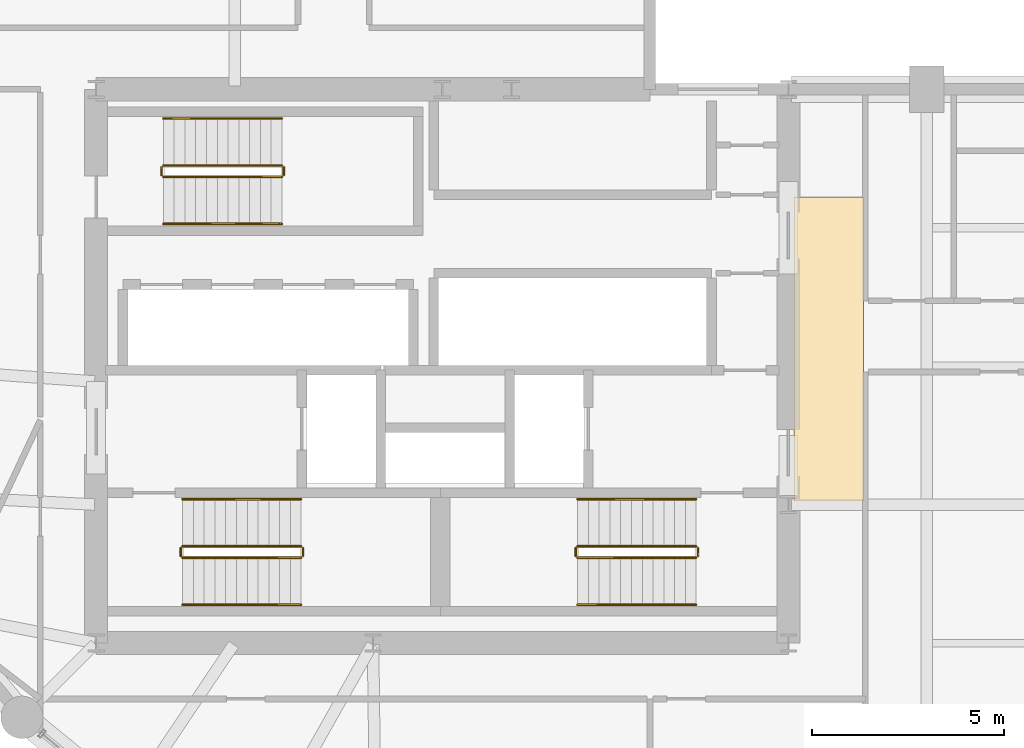
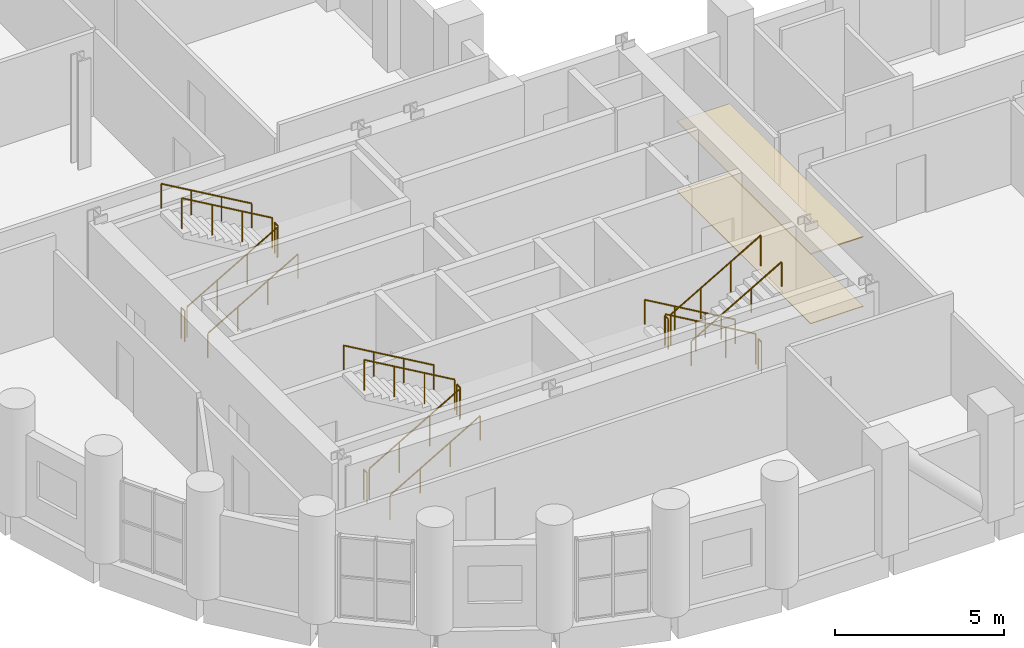
# One storey, part 13 of 13: 18 railings, 2 coverings.
"""IFC4 building model written with IfcOpenShell, lengths in metres."""

import ifcopenshell
import ifcopenshell.guid

model = None  # the IFC model being written
_history = None  # IfcOwnerHistory: only IFC2X3 demands one
_inside = {}  # id of a spatial element -> (the spatial element, [elements in it])
_under = {}  # id of a project, library or spatial element -> (it, [spatial elements below it])
_declared = {}  # id of a project -> (the project, [libraries it declares])
_typed = {}  # id of a type object -> (the type object, [elements of that type])
_made_of = {}  # id of a material, layer set ... -> (it, [elements and type objects made of it])


def new_model(schema):
    """Start an empty IFC model of exactly this schema.

    Asked for "IFC4X3", IfcOpenShell would pick the latest addendum, in which some entities
    have other attributes; the version numbers below select the first issue.
    IFC2X3 requires an IfcOwnerHistory on every rooted entity: one is made here for all.
    """
    global model, _history
    if schema == "IFC4X3":
        model = ifcopenshell.file(schema_version=(4, 3, 0, 0))
    else:
        model = ifcopenshell.file(schema=schema)
    _inside.clear()
    _under.clear()
    _declared.clear()
    _typed.clear()
    _made_of.clear()
    _history = None
    if model.schema == "IFC2X3":
        org = make("IfcOrganization", Name="unknown")
        user = make(
            "IfcPersonAndOrganization",
            ThePerson=make("IfcPerson", FamilyName="unknown"),
            TheOrganization=org,
        )
        app = make(
            "IfcApplication",
            ApplicationDeveloper=org,
            Version="unknown",
            ApplicationFullName="unknown",
            ApplicationIdentifier="unknown",
        )
        _history = make(
            "IfcOwnerHistory",
            OwningUser=user,
            OwningApplication=app,
            ChangeAction="ADDED",
            CreationDate=0,
        )
    return model


def make(cls, **values):
    """One entity of the class cls with the attributes given. An attribute that is None is left unset."""
    return model.create_entity(
        cls, **{name: value for name, value in values.items() if value is not None}
    )


def rooted(cls, **values):
    """An entity with a GlobalId (a new one), such as an element, a storey or a relation."""
    return make(cls, GlobalId=ifcopenshell.guid.new(), OwnerHistory=_history, **values)


def si_unit(unit_type, name, prefix=None):
    """IfcSIUnit, for example si_unit("LENGTHUNIT", "METRE", prefix="MILLI")."""
    return make("IfcSIUnit", UnitType=unit_type, Prefix=prefix, Name=name)


def assignment(units):
    """IfcUnitAssignment: the units of a project."""
    return None if units is None else make("IfcUnitAssignment", Units=units)


def point(xyz):
    """IfcCartesianPoint."""
    return None if xyz is None else make("IfcCartesianPoint", Coordinates=xyz)


def direction(xyz):
    """IfcDirection."""
    return None if xyz is None else make("IfcDirection", DirectionRatios=xyz)


def frame(location, z_axis=None, x_axis=None):
    """IfcAxis2Placement3D, a coordinate frame: its origin and axes. An axis left out is left unset."""
    return make(
        "IfcAxis2Placement3D",
        Location=point(location),
        Axis=direction(z_axis),
        RefDirection=direction(x_axis),
    )


def frame_2d(location, x_axis=None):
    """IfcAxis2Placement2D, a coordinate frame in the plane: its origin and x axis."""
    return make(
        "IfcAxis2Placement2D", Location=point(location), RefDirection=direction(x_axis)
    )


def origin():
    """The frame at (0, 0, 0) with its axes left unset."""
    return frame((0.0, 0.0, 0.0))


def origin_2d():
    """The frame at (0, 0) in the plane with its x axis left unset."""
    return frame_2d((0.0, 0.0))


def place(relative_to, where):
    """IfcLocalPlacement: puts the frame where relative to a parent placement (None: the world)."""
    return make(
        "IfcLocalPlacement", PlacementRelTo=relative_to, RelativePlacement=where
    )


def context(
    kind, dimensions, precision=None, world=None, true_north=None, identifier=None
):
    """IfcGeometricRepresentationContext, for example the 3D "Model" context."""
    return make(
        "IfcGeometricRepresentationContext",
        ContextIdentifier=identifier,
        ContextType=kind,
        CoordinateSpaceDimension=dimensions,
        Precision=precision,
        WorldCoordinateSystem=world,
        TrueNorth=true_north,
    )


def subcontext(parent, identifier, kind, view, scale=None):
    """IfcGeometricRepresentationSubContext, for example "Body" below "Model"."""
    return make(
        "IfcGeometricRepresentationSubContext",
        ContextIdentifier=identifier,
        ContextType=kind,
        ParentContext=parent,
        TargetScale=scale,
        TargetView=view,
    )


def project(units=None, contexts=None):
    """IfcProject with its units and contexts."""
    return rooted(
        "IfcProject",
        Name="project",
        RepresentationContexts=contexts,
        UnitsInContext=assignment(units),
    )


def spatial(cls, under=None, at=None, **own):
    """A site, building, storey or space (cls), placed at a placement, below another one or the project."""
    s = rooted(cls, ObjectPlacement=at, **own)
    if under is not None:
        _under.setdefault(under.id(), (under, []))[1].append(s)
    return s


def polyline(points):
    """IfcPolyline through the points."""
    return make("IfcPolyline", Points=[point(p) for p in points])


def profile(cls, at=None, kind="AREA", **sizes):
    """A parametric profile (cls). Its sizes go by their IFC names, for example OverallWidth=200.0."""
    return make(cls, ProfileType=kind, Position=at, **sizes)


def circle(**sizes):
    """IfcCircleProfileDef."""
    return profile("IfcCircleProfileDef", **sizes)


def outline(outer, holes=None, kind="AREA"):
    """IfcArbitraryClosedProfileDef: a profile drawn as a closed curve; with holes, ...WithVoids."""
    if holes is None:
        return make("IfcArbitraryClosedProfileDef", ProfileType=kind, OuterCurve=outer)
    return make(
        "IfcArbitraryProfileDefWithVoids",
        ProfileType=kind,
        OuterCurve=outer,
        InnerCurves=holes,
    )


def extrude(swept, where, along, depth):
    """IfcExtrudedAreaSolid: the profile swept, set in the frame where, extruded along a direction by depth."""
    return make(
        "IfcExtrudedAreaSolid",
        SweptArea=swept,
        Position=where,
        ExtrudedDirection=direction(along),
        Depth=depth,
    )


def shape(context_of_items, identifier, shape_type, items):
    """IfcShapeRepresentation: the items that make up one representation, for example the "Body"."""
    return make(
        "IfcShapeRepresentation",
        ContextOfItems=context_of_items,
        RepresentationIdentifier=identifier,
        RepresentationType=shape_type,
        Items=items,
    )


def material(Name=None, Category=None):
    """IfcMaterial."""
    return make("IfcMaterial", Name=Name, Category=Category)


def layer(
    of_material, thickness, ventilated=None, Name=None, Category=None, Priority=None
):
    """IfcMaterialLayer: one layer of a wall or slab, of a material (None: an air gap)."""
    return make(
        "IfcMaterialLayer",
        Material=of_material,
        LayerThickness=thickness,
        IsVentilated=ventilated,
        Name=Name,
        Category=Category,
        Priority=Priority,
    )


def layer_set(layers, Name=None):
    """IfcMaterialLayerSet."""
    return make("IfcMaterialLayerSet", MaterialLayers=layers, LayerSetName=Name)


def made_of(thing, what):
    """Note that an element or type object is made of a material, layer set ...; save() writes the relation."""
    if what is not None:
        _made_of.setdefault(what.id(), (what, []))[1].append(thing)
    return thing


def type_object(cls, material=None, **own):
    """A type object (cls), such as IfcWallType, which elements share."""
    return made_of(rooted(cls, **own), material)


def element(
    cls,
    number,
    at=None,
    inside=None,
    cuts=None,
    type_object=None,
    material=None,
    context=None,
    identifier="Body",
    shape_type=None,
    held_by="IfcProductDefinitionShape",
    body=None,
    shapes=None,
    **own,
):
    """One element of the class cls, such as IfcWall. Its Tag is "e" and its number.

    at: its placement. inside: the storey or other place that contains it. cuts: it is an
    opening in that element (IfcRelVoidsElement). A single representation is given by context,
    identifier, shape_type and body (its items); several are given by shapes. held_by: the class
    of the entity that holds the representations. save() writes the other relations.
    """
    e = rooted(cls, Tag="e%d" % number, ObjectPlacement=at, **own)
    if body is not None:
        shapes = [shape(context, identifier, shape_type, body)]
    if shapes is not None:
        e.Representation = make(held_by, Representations=shapes)
    if inside is not None:
        _inside.setdefault(inside.id(), (inside, []))[1].append(e)
    if cuts is not None:
        rooted(
            "IfcRelVoidsElement", RelatingBuildingElement=cuts, RelatedOpeningElement=e
        )
    if type_object is not None:
        _typed.setdefault(type_object.id(), (type_object, []))[1].append(e)
    return made_of(e, material)


def aggregate(whole, parts):
    """IfcRelAggregates: a whole, such as a stair, and the parts it consists of."""
    return rooted("IfcRelAggregates", RelatingObject=whole, RelatedObjects=parts)


def save(model, path):
    """Write the relations noted so far, then the file.

    IfcRelAggregates (storeys below a building ...), IfcRelContainedInSpatialStructure (elements
    in a storey), IfcRelDefinesByType, IfcRelAssociatesMaterial and IfcRelDeclares: one each for
    every whole, place, type object, material and project.
    """
    for whole, parts in _under.values():
        aggregate(whole, parts)
    for where, things in _inside.values():
        rooted(
            "IfcRelContainedInSpatialStructure",
            RelatedElements=things,
            RelatingStructure=where,
        )
    for kind, things in _typed.values():
        rooted("IfcRelDefinesByType", RelatedObjects=things, RelatingType=kind)
    for what, things in _made_of.values():
        rooted("IfcRelAssociatesMaterial", RelatedObjects=things, RelatingMaterial=what)
    for by, libraries in _declared.values():
        rooted("IfcRelDeclares", RelatingContext=by, RelatedDefinitions=libraries)
    model.write(path)


model = new_model("IFC4")

# Units and contexts
model_context = context("Model", 3, precision=1e-05, world=origin(), true_north=direction((0.0, 1.0)))
body_context = subcontext(model_context, "Body", "Model", "MODEL_VIEW")
ifc_project = project(units=[si_unit("LENGTHUNIT", "METRE"), si_unit("AREAUNIT", "SQUARE_METRE"), si_unit("VOLUMEUNIT", "CUBIC_METRE"), si_unit("PLANEANGLEUNIT", "RADIAN"), si_unit("MASSUNIT", "GRAM", prefix="KILO")], contexts=[model_context])

# Site, building, storey
site_placement = place(None, origin())
site = spatial("IfcSite", under=ifc_project, at=site_placement, CompositionType="ELEMENT")
building_placement = place(site_placement, origin())
building = spatial("IfcBuilding", under=site, at=building_placement, Name="Solnavia Interchange Tower", CompositionType="ELEMENT")
storey_placement = place(building_placement, frame((0.0, 0.0, 51.300048828125)))
storey = spatial("IfcBuildingStorey", under=building, at=storey_placement, Name="L12", CompositionType="ELEMENT", Elevation=51.300048828125)

# Coverings
ifc_material_1 = material(Name="Perforated Mineral-Fibre & Gypsum Ceiling", Category="gypsum")
ifc_layer_1 = layer(ifc_material_1, 0.0400390625)
ifc_layer_set_1 = layer_set([ifc_layer_1], Name="Perforated Mineral-Fibre & Gypsum Ceiling")
covering_type_1 = type_object("IfcCoveringType", Name="Covering-Ceiling-Acoustic40", PredefinedType="CEILING", material=ifc_layer_set_1)
covering_1_placement = place(storey_placement, frame((0.0, 0.0, 2.5)))
element("IfcCovering", 1, at=covering_1_placement, inside=storey, type_object=covering_type_1, Name="CLG-L12-01 Circulation suspended acoustic ceiling", PredefinedType="CEILING", context=body_context, shape_type="SweptSolid", body=[
    extrude(outline(polyline([(32.550048828125, 14.5), (34.35009765625, 14.5), (34.35009765625, 22.39990234375), (32.550048828125, 22.39990234375), (32.550048828125, 14.5)])), origin(), (0.0, 0.0, 1.0), 0.0400390625),
])
ifc_material_2 = material(Name="Polished Alicante Stone Terrazzo", Category="masonry")
ifc_layer_2 = layer(ifc_material_2, 0.02490234375)
ifc_layer_set_2 = layer_set([ifc_layer_2], Name="Polished Alicante Stone Terrazzo")
covering_type_2 = type_object("IfcCoveringType", Name="Covering-Flooring-Terrazzo25", PredefinedType="FLOORING", material=ifc_layer_set_2)
covering_2_placement = place(storey_placement, origin())
element("IfcCovering", 2, at=covering_2_placement, inside=storey, type_object=covering_type_2, Name="FLR-L12-01 Circulation floor finish", PredefinedType="FLOORING", context=body_context, shape_type="SweptSolid", body=[
    extrude(outline(polyline([(32.550048828125, 14.5), (34.35009765625, 14.5), (34.35009765625, 22.39990234375), (32.550048828125, 22.39990234375), (32.550048828125, 14.5)])), origin(), (0.0, 0.0, 1.0), 0.02490234375),
])

# Railings
ifc_material_3 = material(Name="Painted Steel Balustrade", Category="steel")
railing_type_1 = type_object("IfcRailingType", Name="Railing-StairGuard-1100", PredefinedType="GUARDRAIL", material=ifc_material_3)
railing_1_placement = place(storey_placement, frame((16.64990234375, 13.02001953125, 0.162353515625)))
element("IfcRailing", 3, at=railing_1_placement, inside=storey, type_object=railing_type_1, Name="L12 ST-1 stair guard 1", PredefinedType="GUARDRAIL", context=body_context, shape_type="SweptSolid", body=[
    extrude(circle(Radius=0.02392578125, at=origin_2d()), frame((0.0, 0.0, 1.09619140625), z_axis=(0.864890721111, 0.0, 0.501960198159), x_axis=(0.0, 1.0, 0.0)), (0.0, 0.0, 1.0), 3.561279296875),
    extrude(circle(Radius=0.02099609375, at=origin_2d()), origin(), (0.0, 0.0, 1.0), 1.072021484375),
    extrude(circle(Radius=0.02099609375, at=origin_2d()), frame((1.026611328125, 0.0, 0.595947265625)), (0.0, 0.0, 1.0), 1.072021484375),
    extrude(circle(Radius=0.02099609375, at=origin_2d()), frame((2.053466796875, 0.0, 1.191650390625)), (0.0, 0.0, 1.0), 1.072021484375),
    extrude(circle(Radius=0.02099609375, at=origin_2d()), frame((3.080078125, 0.0, 1.78759765625)), (0.0, 0.0, 1.0), 1.072021484375),
])
railing_2_placement = place(storey_placement, frame((19.780029296875, 13.070068359375, 1.949951171875)))
element("IfcRailing", 4, at=railing_2_placement, inside=storey, type_object=railing_type_1, Name="L12 ST-1 stair guard 2", PredefinedType="GUARDRAIL", context=body_context, shape_type="SweptSolid", body=[
    extrude(circle(Radius=0.02392578125, at=origin_2d()), frame((0.0, 0.0, 1.09619140625), z_axis=(0.0, 1.0, 0.0), x_axis=(-1.0, 0.0, 0.0)), (0.0, 0.0, 1.0), 0.199951171875),
    extrude(circle(Radius=0.02099609375, at=origin_2d()), origin(), (0.0, 0.0, 1.0), 1.072021484375),
    extrude(circle(Radius=0.02099609375, at=origin_2d()), frame((0.0, 0.199951171875, 0.0)), (0.0, 0.0, 1.0), 1.072021484375),
])
railing_3_placement = place(storey_placement, frame((19.72998046875, 13.320068359375, 2.112548828125)))
element("IfcRailing", 5, at=railing_3_placement, inside=storey, type_object=railing_type_1, Name="L12 ST-1 stair guard 3", PredefinedType="GUARDRAIL", context=body_context, shape_type="SweptSolid", body=[
    extrude(circle(Radius=0.02392578125, at=origin_2d()), frame((0.0, 0.0, 1.09619140625), z_axis=(-0.864920483161, 0.0, 0.501908913857), x_axis=(0.0, -1.0, 0.0)), (0.0, 0.0, 1.0), 3.56103515625),
    extrude(circle(Radius=0.02099609375, at=origin_2d()), origin(), (0.0, 0.0, 1.0), 1.072021484375),
    extrude(circle(Radius=0.02099609375, at=origin_2d()), frame((-1.026611328125, 0.0, 0.595703125)), (0.0, 0.0, 1.0), 1.072021484375),
    extrude(circle(Radius=0.02099609375, at=origin_2d()), frame((-2.053466796875, 0.0, 1.191650390625)), (0.0, 0.0, 1.0), 1.072021484375),
    extrude(circle(Radius=0.02099609375, at=origin_2d()), frame((-3.080078125, 0.0, 1.787353515625)), (0.0, 0.0, 1.0), 1.072021484375),
])
railing_4_placement = place(storey_placement, frame((16.60009765625, 13.070068359375, 0.0)))
element("IfcRailing", 6, at=railing_4_placement, inside=storey, type_object=railing_type_1, Name="L12 ST-1 stair guard 4", PredefinedType="GUARDRAIL", context=body_context, shape_type="SweptSolid", body=[
    extrude(circle(Radius=0.02392578125, at=origin_2d()), frame((0.0, 0.0, 1.09619140625), z_axis=(0.0, 1.0, 0.0), x_axis=(-1.0, 0.0, 0.0)), (0.0, 0.0, 1.0), 0.199951171875),
    extrude(circle(Radius=0.02099609375, at=origin_2d()), origin(), (0.0, 0.0, 1.0), 1.072021484375),
    extrude(circle(Radius=0.02099609375, at=origin_2d()), frame((0.0, 0.199951171875, 0.0)), (0.0, 0.0, 1.0), 1.072021484375),
])
railing_5_placement = place(storey_placement, frame((30.0, 13.320068359375, 0.162353515625)))
element("IfcRailing", 7, at=railing_5_placement, inside=storey, type_object=railing_type_1, Name="L12 ST-2 stair guard 1", PredefinedType="GUARDRAIL", context=body_context, shape_type="SweptSolid", body=[
    extrude(circle(Radius=0.02392578125, at=origin_2d()), frame((0.0, 0.0, 1.09619140625), z_axis=(-0.864890721111, 0.0, 0.501960198159), x_axis=(0.0, -1.0, 0.0)), (0.0, 0.0, 1.0), 3.561279296875),
    extrude(circle(Radius=0.02099609375, at=origin_2d()), origin(), (0.0, 0.0, 1.0), 1.072021484375),
    extrude(circle(Radius=0.02099609375, at=origin_2d()), frame((-1.026611328125, 0.0, 0.595947265625)), (0.0, 0.0, 1.0), 1.072021484375),
    extrude(circle(Radius=0.02099609375, at=origin_2d()), frame((-2.053466796875, 0.0, 1.191650390625)), (0.0, 0.0, 1.0), 1.072021484375),
    extrude(circle(Radius=0.02099609375, at=origin_2d()), frame((-3.080078125, 0.0, 1.78759765625)), (0.0, 0.0, 1.0), 1.072021484375),
])
railing_6_placement = place(storey_placement, frame((26.8701171875, 13.27001953125, 1.949951171875)))
element("IfcRailing", 8, at=railing_6_placement, inside=storey, type_object=railing_type_1, Name="L12 ST-2 stair guard 2", PredefinedType="GUARDRAIL", context=body_context, shape_type="SweptSolid", body=[
    extrude(circle(Radius=0.02392578125, at=origin_2d()), frame((0.0, 0.0, 1.09619140625), z_axis=(0.0, -1.0, 0.0), x_axis=(1.0, 0.0, 0.0)), (0.0, 0.0, 1.0), 0.199951171875),
    extrude(circle(Radius=0.02099609375, at=origin_2d()), origin(), (0.0, 0.0, 1.0), 1.072021484375),
    extrude(circle(Radius=0.02099609375, at=origin_2d()), frame((0.0, -0.199951171875, 0.0)), (0.0, 0.0, 1.0), 1.072021484375),
])
railing_7_placement = place(storey_placement, frame((26.919921875, 13.02001953125, 2.112548828125)))
element("IfcRailing", 9, at=railing_7_placement, inside=storey, type_object=railing_type_1, Name="L12 ST-2 stair guard 3", PredefinedType="GUARDRAIL", context=body_context, shape_type="SweptSolid", body=[
    extrude(circle(Radius=0.02392578125, at=origin_2d()), frame((0.0, 0.0, 1.09619140625), z_axis=(0.864920483161, 0.0, 0.501908913857), x_axis=(0.0, 1.0, 0.0)), (0.0, 0.0, 1.0), 3.56103515625),
    extrude(circle(Radius=0.02099609375, at=origin_2d()), origin(), (0.0, 0.0, 1.0), 1.072021484375),
    extrude(circle(Radius=0.02099609375, at=origin_2d()), frame((1.026611328125, 0.0, 0.595703125)), (0.0, 0.0, 1.0), 1.072021484375),
    extrude(circle(Radius=0.02099609375, at=origin_2d()), frame((2.053466796875, 0.0, 1.191650390625)), (0.0, 0.0, 1.0), 1.072021484375),
    extrude(circle(Radius=0.02099609375, at=origin_2d()), frame((3.080078125, 0.0, 1.787353515625)), (0.0, 0.0, 1.0), 1.072021484375),
])
railing_8_placement = place(storey_placement, frame((30.050048828125, 13.27001953125, 0.0)))
element("IfcRailing", 10, at=railing_8_placement, inside=storey, type_object=railing_type_1, Name="L12 ST-2 stair guard 4", PredefinedType="GUARDRAIL", context=body_context, shape_type="SweptSolid", body=[
    extrude(circle(Radius=0.02392578125, at=origin_2d()), frame((0.0, 0.0, 1.09619140625), z_axis=(0.0, -1.0, 0.0), x_axis=(1.0, 0.0, 0.0)), (0.0, 0.0, 1.0), 0.199951171875),
    extrude(circle(Radius=0.02099609375, at=origin_2d()), origin(), (0.0, 0.0, 1.0), 1.072021484375),
    extrude(circle(Radius=0.02099609375, at=origin_2d()), frame((0.0, -0.199951171875, 0.0)), (0.0, 0.0, 1.0), 1.072021484375),
])
railing_9_placement = place(storey_placement, frame((16.14990234375, 22.919921875, 0.162353515625)))
element("IfcRailing", 11, at=railing_9_placement, inside=storey, type_object=railing_type_1, Name="L12 ST-3 stair guard 1", PredefinedType="GUARDRAIL", context=body_context, shape_type="SweptSolid", body=[
    extrude(circle(Radius=0.02392578125, at=origin_2d()), frame((0.0, 0.0, 1.09619140625), z_axis=(0.864890721111, 0.0, 0.501960198159), x_axis=(0.0, 1.0, 0.0)), (0.0, 0.0, 1.0), 3.561279296875),
    extrude(circle(Radius=0.02099609375, at=origin_2d()), origin(), (0.0, 0.0, 1.0), 1.072021484375),
    extrude(circle(Radius=0.02099609375, at=origin_2d()), frame((1.026611328125, 0.0, 0.595947265625)), (0.0, 0.0, 1.0), 1.072021484375),
    extrude(circle(Radius=0.02099609375, at=origin_2d()), frame((2.053466796875, 0.0, 1.191650390625)), (0.0, 0.0, 1.0), 1.072021484375),
    extrude(circle(Radius=0.02099609375, at=origin_2d()), frame((3.080078125, 0.0, 1.78759765625)), (0.0, 0.0, 1.0), 1.072021484375),
])
railing_10_placement = place(storey_placement, frame((19.280029296875, 22.969970703125, 1.949951171875)))
element("IfcRailing", 12, at=railing_10_placement, inside=storey, type_object=railing_type_1, Name="L12 ST-3 stair guard 2", PredefinedType="GUARDRAIL", context=body_context, shape_type="SweptSolid", body=[
    extrude(circle(Radius=0.02392578125, at=origin_2d()), frame((0.0, 0.0, 1.09619140625), z_axis=(0.0, 1.0, 0.0), x_axis=(-1.0, 0.0, 0.0)), (0.0, 0.0, 1.0), 0.199951171875),
    extrude(circle(Radius=0.02099609375, at=origin_2d()), origin(), (0.0, 0.0, 1.0), 1.072021484375),
    extrude(circle(Radius=0.02099609375, at=origin_2d()), frame((0.0, 0.199951171875, 0.0)), (0.0, 0.0, 1.0), 1.072021484375),
])
railing_11_placement = place(storey_placement, frame((19.22998046875, 23.219970703125, 2.112548828125)))
element("IfcRailing", 13, at=railing_11_placement, inside=storey, type_object=railing_type_1, Name="L12 ST-3 stair guard 3", PredefinedType="GUARDRAIL", context=body_context, shape_type="SweptSolid", body=[
    extrude(circle(Radius=0.02392578125, at=origin_2d()), frame((0.0, 0.0, 1.09619140625), z_axis=(-0.864920483161, 0.0, 0.501908913857), x_axis=(0.0, -1.0, 0.0)), (0.0, 0.0, 1.0), 3.56103515625),
    extrude(circle(Radius=0.02099609375, at=origin_2d()), origin(), (0.0, 0.0, 1.0), 1.072021484375),
    extrude(circle(Radius=0.02099609375, at=origin_2d()), frame((-1.026611328125, 0.0, 0.595703125)), (0.0, 0.0, 1.0), 1.072021484375),
    extrude(circle(Radius=0.02099609375, at=origin_2d()), frame((-2.053466796875, 0.0, 1.191650390625)), (0.0, 0.0, 1.0), 1.072021484375),
    extrude(circle(Radius=0.02099609375, at=origin_2d()), frame((-3.080078125, 0.0, 1.787353515625)), (0.0, 0.0, 1.0), 1.072021484375),
])
railing_12_placement = place(storey_placement, frame((16.10009765625, 22.969970703125, 0.0)))
element("IfcRailing", 14, at=railing_12_placement, inside=storey, type_object=railing_type_1, Name="L12 ST-3 stair guard 4", PredefinedType="GUARDRAIL", context=body_context, shape_type="SweptSolid", body=[
    extrude(circle(Radius=0.02392578125, at=origin_2d()), frame((0.0, 0.0, 1.09619140625), z_axis=(0.0, 1.0, 0.0), x_axis=(-1.0, 0.0, 0.0)), (0.0, 0.0, 1.0), 0.199951171875),
    extrude(circle(Radius=0.02099609375, at=origin_2d()), origin(), (0.0, 0.0, 1.0), 1.072021484375),
    extrude(circle(Radius=0.02099609375, at=origin_2d()), frame((0.0, 0.199951171875, 0.0)), (0.0, 0.0, 1.0), 1.072021484375),
])
ifc_material_4 = material(Name="Brushed Stainless Steel", Category="steel")
railing_type_2 = type_object("IfcRailingType", Name="Railing-StairHandrail-900", PredefinedType="HANDRAIL", material=ifc_material_4)
railing_13_placement = place(storey_placement, frame((16.64990234375, 11.800048828125, 0.162353515625)))
element("IfcRailing", 15, at=railing_13_placement, inside=storey, type_object=railing_type_2, Name="L12 ST-1 stair handrail 1", PredefinedType="HANDRAIL", context=body_context, shape_type="SweptSolid", body=[
    extrude(circle(Radius=0.02392578125, at=origin_2d()), frame((0.0, 0.0, 0.8759765625), z_axis=(0.864890721111, 0.0, 0.501960198159), x_axis=(0.0, 1.0, 0.0)), (0.0, 0.0, 1.0), 3.561279296875),
    extrude(circle(Radius=0.02099609375, at=origin_2d()), origin(), (0.0, 0.0, 1.0), 0.851806640625),
    extrude(circle(Radius=0.02099609375, at=origin_2d()), frame((1.026611328125, 0.0, 0.595947265625)), (0.0, 0.0, 1.0), 0.851806640625),
    extrude(circle(Radius=0.02099609375, at=origin_2d()), frame((2.053466796875, 0.0, 1.191650390625)), (0.0, 0.0, 1.0), 0.851806640625),
    extrude(circle(Radius=0.02099609375, at=origin_2d()), frame((3.080078125, 0.0, 1.78759765625)), (0.0, 0.0, 1.0), 0.851806640625),
])
railing_14_placement = place(storey_placement, frame((19.72998046875, 14.5400390625, 2.112548828125)))
element("IfcRailing", 16, at=railing_14_placement, inside=storey, type_object=railing_type_2, Name="L12 ST-1 stair handrail 2", PredefinedType="HANDRAIL", context=body_context, shape_type="SweptSolid", body=[
    extrude(circle(Radius=0.02392578125, at=origin_2d()), frame((0.0, 0.0, 0.8759765625), z_axis=(-0.864920483161, 0.0, 0.501908913857), x_axis=(0.0, -1.0, 0.0)), (0.0, 0.0, 1.0), 3.56103515625),
    extrude(circle(Radius=0.02099609375, at=origin_2d()), origin(), (0.0, 0.0, 1.0), 0.851806640625),
    extrude(circle(Radius=0.02099609375, at=origin_2d()), frame((-1.026611328125, 0.0, 0.595703125)), (0.0, 0.0, 1.0), 0.851806640625),
    extrude(circle(Radius=0.02099609375, at=origin_2d()), frame((-2.053466796875, 0.0, 1.191650390625)), (0.0, 0.0, 1.0), 0.851806640625),
    extrude(circle(Radius=0.02099609375, at=origin_2d()), frame((-3.080078125, 0.0, 1.787353515625)), (0.0, 0.0, 1.0), 0.851806640625),
])
railing_15_placement = place(storey_placement, frame((30.0, 14.5400390625, 0.162353515625)))
element("IfcRailing", 17, at=railing_15_placement, inside=storey, type_object=railing_type_2, Name="L12 ST-2 stair handrail 1", PredefinedType="HANDRAIL", context=body_context, shape_type="SweptSolid", body=[
    extrude(circle(Radius=0.02392578125, at=origin_2d()), frame((0.0, 0.0, 0.8759765625), z_axis=(-0.864890721111, 0.0, 0.501960198159), x_axis=(0.0, -1.0, 0.0)), (0.0, 0.0, 1.0), 3.561279296875),
    extrude(circle(Radius=0.02099609375, at=origin_2d()), origin(), (0.0, 0.0, 1.0), 0.851806640625),
    extrude(circle(Radius=0.02099609375, at=origin_2d()), frame((-1.026611328125, 0.0, 0.595947265625)), (0.0, 0.0, 1.0), 0.851806640625),
    extrude(circle(Radius=0.02099609375, at=origin_2d()), frame((-2.053466796875, 0.0, 1.191650390625)), (0.0, 0.0, 1.0), 0.851806640625),
    extrude(circle(Radius=0.02099609375, at=origin_2d()), frame((-3.080078125, 0.0, 1.78759765625)), (0.0, 0.0, 1.0), 0.851806640625),
])
railing_16_placement = place(storey_placement, frame((26.919921875, 11.800048828125, 2.112548828125)))
element("IfcRailing", 18, at=railing_16_placement, inside=storey, type_object=railing_type_2, Name="L12 ST-2 stair handrail 2", PredefinedType="HANDRAIL", context=body_context, shape_type="SweptSolid", body=[
    extrude(circle(Radius=0.02392578125, at=origin_2d()), frame((0.0, 0.0, 0.8759765625), z_axis=(0.864920483161, 0.0, 0.501908913857), x_axis=(0.0, 1.0, 0.0)), (0.0, 0.0, 1.0), 3.56103515625),
    extrude(circle(Radius=0.02099609375, at=origin_2d()), origin(), (0.0, 0.0, 1.0), 0.851806640625),
    extrude(circle(Radius=0.02099609375, at=origin_2d()), frame((1.026611328125, 0.0, 0.595703125)), (0.0, 0.0, 1.0), 0.851806640625),
    extrude(circle(Radius=0.02099609375, at=origin_2d()), frame((2.053466796875, 0.0, 1.191650390625)), (0.0, 0.0, 1.0), 0.851806640625),
    extrude(circle(Radius=0.02099609375, at=origin_2d()), frame((3.080078125, 0.0, 1.787353515625)), (0.0, 0.0, 1.0), 0.851806640625),
])
railing_17_placement = place(storey_placement, frame((16.14990234375, 21.699951171875, 0.162353515625)))
element("IfcRailing", 19, at=railing_17_placement, inside=storey, type_object=railing_type_2, Name="L12 ST-3 stair handrail 1", PredefinedType="HANDRAIL", context=body_context, shape_type="SweptSolid", body=[
    extrude(circle(Radius=0.02392578125, at=origin_2d()), frame((0.0, 0.0, 0.8759765625), z_axis=(0.864890721111, 0.0, 0.501960198159), x_axis=(0.0, 1.0, 0.0)), (0.0, 0.0, 1.0), 3.561279296875),
    extrude(circle(Radius=0.02099609375, at=origin_2d()), origin(), (0.0, 0.0, 1.0), 0.851806640625),
    extrude(circle(Radius=0.02099609375, at=origin_2d()), frame((1.026611328125, 0.0, 0.595947265625)), (0.0, 0.0, 1.0), 0.851806640625),
    extrude(circle(Radius=0.02099609375, at=origin_2d()), frame((2.053466796875, 0.0, 1.191650390625)), (0.0, 0.0, 1.0), 0.851806640625),
    extrude(circle(Radius=0.02099609375, at=origin_2d()), frame((3.080078125, 0.0, 1.78759765625)), (0.0, 0.0, 1.0), 0.851806640625),
])
railing_18_placement = place(storey_placement, frame((19.22998046875, 24.43994140625, 2.112548828125)))
element("IfcRailing", 20, at=railing_18_placement, inside=storey, type_object=railing_type_2, Name="L12 ST-3 stair handrail 2", PredefinedType="HANDRAIL", context=body_context, shape_type="SweptSolid", body=[
    extrude(circle(Radius=0.02392578125, at=origin_2d()), frame((0.0, 0.0, 0.8759765625), z_axis=(-0.864920483161, 0.0, 0.501908913857), x_axis=(0.0, -1.0, 0.0)), (0.0, 0.0, 1.0), 3.56103515625),
    extrude(circle(Radius=0.02099609375, at=origin_2d()), origin(), (0.0, 0.0, 1.0), 0.851806640625),
    extrude(circle(Radius=0.02099609375, at=origin_2d()), frame((-1.026611328125, 0.0, 0.595703125)), (0.0, 0.0, 1.0), 0.851806640625),
    extrude(circle(Radius=0.02099609375, at=origin_2d()), frame((-2.053466796875, 0.0, 1.191650390625)), (0.0, 0.0, 1.0), 0.851806640625),
    extrude(circle(Radius=0.02099609375, at=origin_2d()), frame((-3.080078125, 0.0, 1.787353515625)), (0.0, 0.0, 1.0), 0.851806640625),
])

save(model, "model.ifc")
